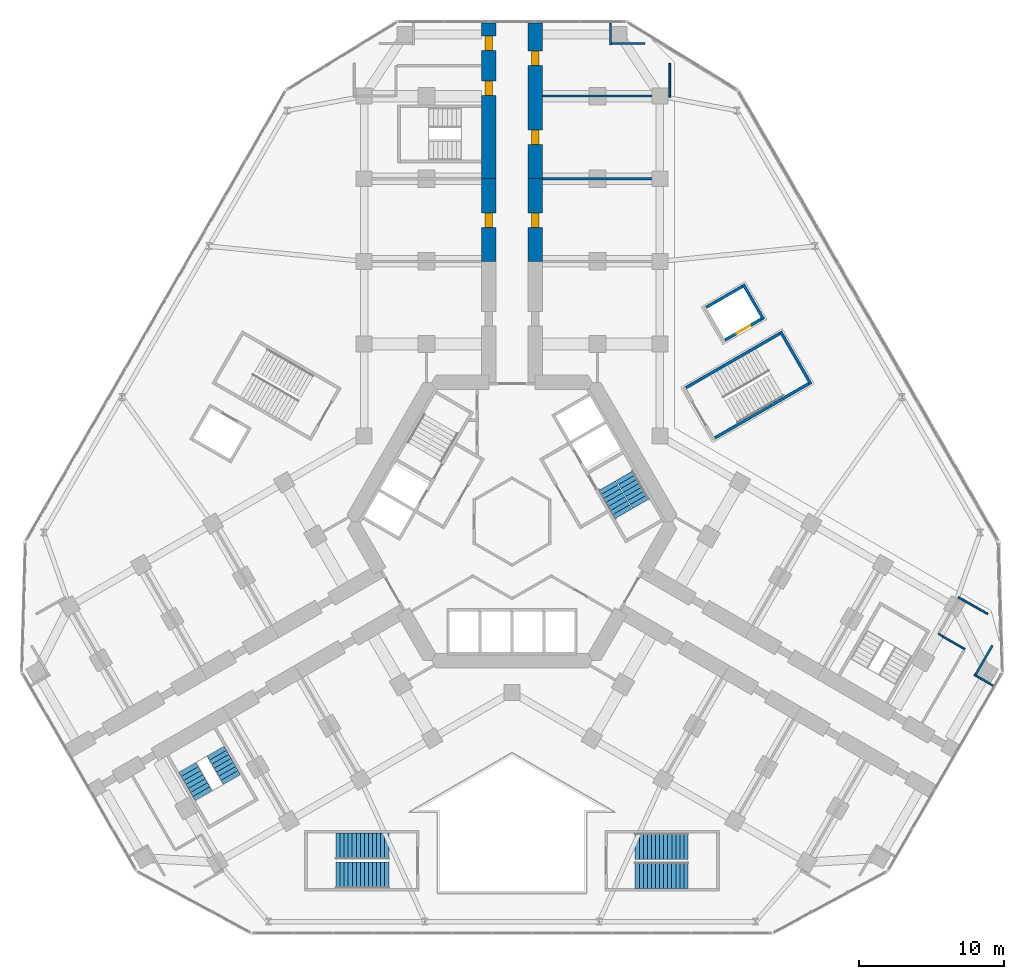
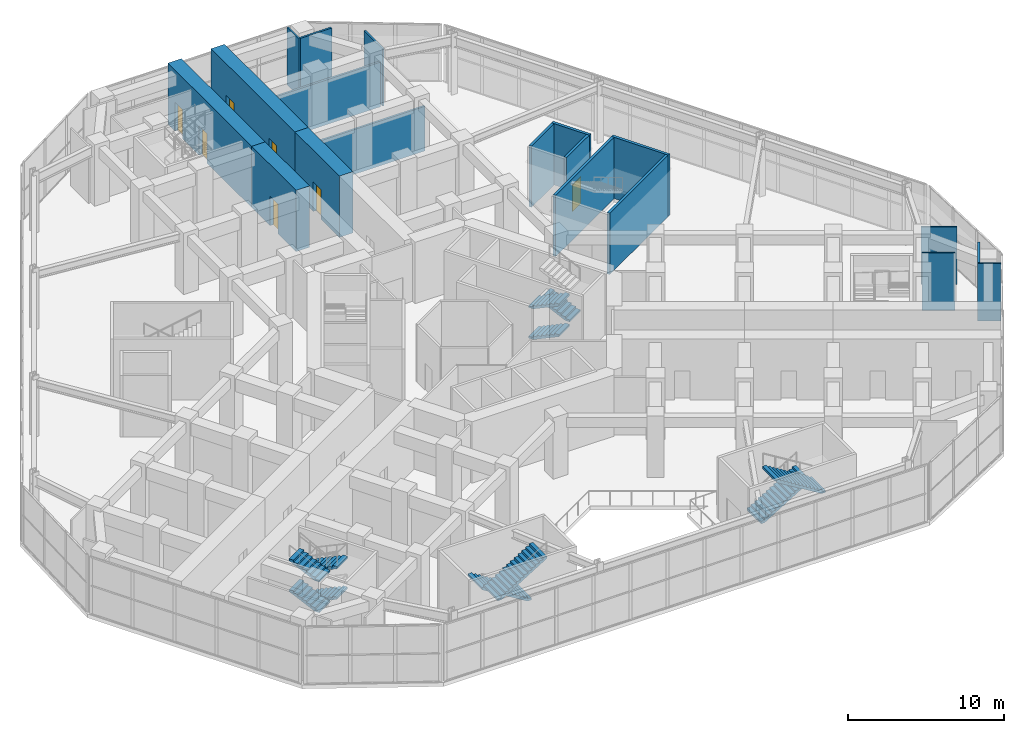
# One storey, part 18 of 22: 19 walls, 11 stair flights, 7 doors, 7 openings, 4 elements without a shape of their own.
"""IFC4 building model written with IfcOpenShell, lengths in metres."""

from ifc_helpers import new_model, si_unit, direction, frame, frame_2d, origin, place, context, subcontext, project, spatial, polyline, rectangle, outline, extrude, material, layer, layer_set, type_object, element, fill, aggregate, save


model = new_model("IFC4")

# Units and contexts
model_context = context("Model", 3, precision=1e-05, world=origin(), true_north=direction((0.0, 1.0)))
body_context = subcontext(model_context, "Body", "Model", "MODEL_VIEW")
ifc_project = project(units=[si_unit("LENGTHUNIT", "METRE"), si_unit("AREAUNIT", "SQUARE_METRE"), si_unit("VOLUMEUNIT", "CUBIC_METRE"), si_unit("PLANEANGLEUNIT", "RADIAN"), si_unit("MASSUNIT", "GRAM", prefix="KILO")], contexts=[model_context])

# Site, building, storey
site_placement = place(None, origin())
site = spatial("IfcSite", under=ifc_project, at=site_placement, CompositionType="ELEMENT")
building_placement = place(site_placement, origin())
building = spatial("IfcBuilding", under=site, at=building_placement, Name="Kosmar Iwan School Tower", CompositionType="ELEMENT")
storey_placement = place(building_placement, frame((0.0, 0.0, 10.800048828125)))
storey = spatial("IfcBuildingStorey", under=building, at=storey_placement, Name="L02", CompositionType="ELEMENT", Elevation=10.800048828125)

# Wall, opening, door
ifc_material_1 = material(Name="Concrete C50/60", Category="concrete")
ifc_layer_1 = layer(ifc_material_1, 1.0)
ifc_layer_set_1 = layer_set([ifc_layer_1], Name="Corridor buttress wall 1000")
wall_type_1 = type_object("IfcWallType", Name="Corridor buttress wall 1000", PredefinedType="SHEAR", material=ifc_layer_set_1)
wall_1_placement = place(storey_placement, frame((-1.60009765625, 17.949951171875, 0.0), z_axis=(0.0, 0.0, 1.0), x_axis=(0.0, 1.0, 0.0)))
wall_1 = element("IfcWall", 1, at=wall_1_placement, inside=storey, type_object=wall_type_1, Name="Corridor wall AL bay 2", PredefinedType="SHEAR", context=body_context, shape_type="SweptSolid", body=[
    extrude(rectangle(XDim=5.699951171875, YDim=1.0, at=frame_2d((2.85009765625, 0.0))), origin(), (0.0, 0.0, 1.0), 4.800048828125),
])
opening_1_placement = place(wall_1_placement, frame((2.35009765625, 0.0, 0.0)))
opening_1 = element("IfcOpeningElement", 2, at=opening_1_placement, cuts=wall_1, Name="Opening D4", PredefinedType="OPENING", context=body_context, shape_type="SweptSolid", body=[
    extrude(rectangle(XDim=1.0, YDim=2.300048828125, at=frame_2d((0.5, 1.14990234375))), frame((0.0, 0.511962890625, 0.0), z_axis=(0.0, -1.0, 0.0), x_axis=(1.0, 0.0, 0.0)), (0.0, 0.0, 1.0), 1.02392578125),
])
ifc_material_2 = material(Name="Timber fire door with vision panel", Category="wood")
door_type_1 = type_object("IfcDoorType", Name="Classroom door 1000x2300", OperationType="SINGLE_SWING_LEFT", PredefinedType="DOOR", material=ifc_material_2)
door_1_placement = place(opening_1_placement, origin())
door_1 = element("IfcDoor", 3, at=door_1_placement, inside=storey, type_object=door_type_1, Name="Primary classroom AL2 door L02-AL2", OperationType="SINGLE_SWING_LEFT", OverallHeight=2.300048828125, OverallWidth=1.0, PredefinedType="DOOR", context=body_context, shape_type="SweptSolid", body=[
    extrude(rectangle(XDim=1.0, YDim=2.300048828125, at=frame_2d((0.5, 1.14990234375))), frame((0.0, 0.25, 0.0), z_axis=(0.0, -1.0, 0.0), x_axis=(1.0, 0.0, 0.0)), (0.0, 0.0, 1.0), 0.5),
])
fill(opening_1, door_1)

# Wall, openings, doors
wall_2_placement = place(storey_placement, frame((-1.60009765625, 23.64990234375, 0.0), z_axis=(0.0, 0.0, 1.0), x_axis=(0.0, 1.0, 0.0)))
wall_2 = element("IfcWall", 4, at=wall_2_placement, inside=storey, type_object=wall_type_1, Name="Corridor wall AL bay 3", PredefinedType="SHEAR", context=body_context, shape_type="SweptSolid", body=[
    extrude(rectangle(XDim=10.7451171875, YDim=1.0, at=frame_2d((5.37255859375, 0.0))), origin(), (0.0, 0.0, 1.0), 4.800048828125),
])
opening_2_placement = place(wall_2_placement, frame((5.75, 0.0, 0.0)))
opening_2 = element("IfcOpeningElement", 5, at=opening_2_placement, cuts=wall_2, Name="Opening D4", PredefinedType="OPENING", context=body_context, shape_type="SweptSolid", body=[
    extrude(rectangle(XDim=1.0, YDim=2.300048828125, at=frame_2d((0.5, 1.14990234375))), frame((0.0, 0.511962890625, 0.0), z_axis=(0.0, -1.0, 0.0), x_axis=(1.0, 0.0, 0.0)), (0.0, 0.0, 1.0), 1.02392578125),
])
opening_3_placement = place(wall_2_placement, frame((8.860107421875, 0.0, 0.0)))
opening_3 = element("IfcOpeningElement", 6, at=opening_3_placement, cuts=wall_2, Name="Opening D4", PredefinedType="OPENING", context=body_context, shape_type="SweptSolid", body=[
    extrude(rectangle(XDim=1.0, YDim=2.300048828125, at=frame_2d((0.5, 1.14990234375))), frame((0.0, 0.511962890625, 0.0), z_axis=(0.0, -1.0, 0.0), x_axis=(1.0, 0.0, 0.0)), (0.0, 0.0, 1.0), 1.02392578125),
])
door_2_placement = place(opening_2_placement, origin())
door_2 = element("IfcDoor", 7, at=door_2_placement, inside=storey, type_object=door_type_1, Name="Primary classroom AL3 door L02-AL3", OperationType="SINGLE_SWING_LEFT", OverallHeight=2.300048828125, OverallWidth=1.0, PredefinedType="DOOR", context=body_context, shape_type="SweptSolid", body=[
    extrude(rectangle(XDim=1.0, YDim=2.300048828125, at=frame_2d((0.5, 1.14990234375))), frame((0.0, 0.25, 0.0), z_axis=(0.0, -1.0, 0.0), x_axis=(1.0, 0.0, 0.0)), (0.0, 0.0, 1.0), 0.5),
])
fill(opening_2, door_2)
door_3_placement = place(opening_3_placement, origin())
door_3 = element("IfcDoor", 8, at=door_3_placement, inside=storey, type_object=door_type_1, Name="Toilets door L02-AL4", OperationType="SINGLE_SWING_RIGHT", OverallHeight=2.300048828125, OverallWidth=1.0, PredefinedType="DOOR", context=body_context, shape_type="SweptSolid", body=[
    extrude(rectangle(XDim=1.0, YDim=2.300048828125, at=frame_2d((0.5, 1.14990234375))), frame((0.0, 0.25, 0.0), z_axis=(0.0, -1.0, 0.0), x_axis=(1.0, 0.0, 0.0)), (0.0, 0.0, 1.0), 0.5),
])
fill(opening_3, door_3)

# Wall, opening, door
wall_3_placement = place(storey_placement, frame((1.60009765625, 17.949951171875, 0.0), z_axis=(0.0, 0.0, 1.0), x_axis=(0.0, 1.0, 0.0)))
wall_3 = element("IfcWall", 9, at=wall_3_placement, inside=storey, type_object=wall_type_1, Name="Corridor wall AR bay 2", PredefinedType="SHEAR", context=body_context, shape_type="SweptSolid", body=[
    extrude(rectangle(XDim=5.699951171875, YDim=1.0, at=frame_2d((2.85009765625, 0.0))), origin(), (0.0, 0.0, 1.0), 4.800048828125),
])
opening_4_placement = place(wall_3_placement, frame((2.35009765625, 0.0, 0.0)))
opening_4 = element("IfcOpeningElement", 10, at=opening_4_placement, cuts=wall_3, Name="Opening D4", PredefinedType="OPENING", context=body_context, shape_type="SweptSolid", body=[
    extrude(rectangle(XDim=1.0, YDim=2.300048828125, at=frame_2d((0.5, 1.14990234375))), frame((0.0, 0.511962890625, 0.0), z_axis=(0.0, -1.0, 0.0), x_axis=(1.0, 0.0, 0.0)), (0.0, 0.0, 1.0), 1.02392578125),
])
door_4_placement = place(opening_4_placement, origin())
door_4 = element("IfcDoor", 11, at=door_4_placement, inside=storey, type_object=door_type_1, Name="Primary classroom AR2 door L02-AR2", OperationType="SINGLE_SWING_RIGHT", OverallHeight=2.300048828125, OverallWidth=1.0, PredefinedType="DOOR", context=body_context, shape_type="SweptSolid", body=[
    extrude(rectangle(XDim=1.0, YDim=2.300048828125, at=frame_2d((0.5, 1.14990234375))), frame((0.0, 0.25, 0.0), z_axis=(0.0, -1.0, 0.0), x_axis=(1.0, 0.0, 0.0)), (0.0, 0.0, 1.0), 0.5),
])
fill(opening_4, door_4)

# Wall, openings, doors
wall_4_placement = place(storey_placement, frame((1.60009765625, 23.64990234375, 0.0), z_axis=(0.0, 0.0, 1.0), x_axis=(0.0, 1.0, 0.0)))
wall_4 = element("IfcWall", 12, at=wall_4_placement, inside=storey, type_object=wall_type_1, Name="Corridor wall AR bay 3", PredefinedType="SHEAR", context=body_context, shape_type="SweptSolid", body=[
    extrude(rectangle(XDim=10.7451171875, YDim=1.0, at=frame_2d((5.37255859375, 0.0))), origin(), (0.0, 0.0, 1.0), 4.800048828125),
])
opening_5_placement = place(wall_4_placement, frame((2.35009765625, 0.0, 0.0)))
opening_5 = element("IfcOpeningElement", 13, at=opening_5_placement, cuts=wall_4, Name="Opening D4", PredefinedType="OPENING", context=body_context, shape_type="SweptSolid", body=[
    extrude(rectangle(XDim=1.0, YDim=2.300048828125, at=frame_2d((0.5, 1.14990234375))), frame((0.0, 0.511962890625, 0.0), z_axis=(0.0, -1.0, 0.0), x_axis=(1.0, 0.0, 0.0)), (0.0, 0.0, 1.0), 1.02392578125),
])
opening_6_placement = place(wall_4_placement, frame((7.824951171875, 0.0, 0.0)))
opening_6 = element("IfcOpeningElement", 14, at=opening_6_placement, cuts=wall_4, Name="Opening D4", PredefinedType="OPENING", context=body_context, shape_type="SweptSolid", body=[
    extrude(rectangle(XDim=1.0, YDim=2.300048828125, at=frame_2d((0.5, 1.14990234375))), frame((0.0, 0.511962890625, 0.0), z_axis=(0.0, -1.0, 0.0), x_axis=(1.0, 0.0, 0.0)), (0.0, 0.0, 1.0), 1.02392578125),
])
door_5_placement = place(opening_5_placement, origin())
door_5 = element("IfcDoor", 15, at=door_5_placement, inside=storey, type_object=door_type_1, Name="Primary classroom AR3 door L02-AR3", OperationType="SINGLE_SWING_LEFT", OverallHeight=2.300048828125, OverallWidth=1.0, PredefinedType="DOOR", context=body_context, shape_type="SweptSolid", body=[
    extrude(rectangle(XDim=1.0, YDim=2.300048828125, at=frame_2d((0.5, 1.14990234375))), frame((0.0, 0.25, 0.0), z_axis=(0.0, -1.0, 0.0), x_axis=(1.0, 0.0, 0.0)), (0.0, 0.0, 1.0), 0.5),
])
fill(opening_5, door_5)
door_6_placement = place(opening_6_placement, origin())
door_6 = element("IfcDoor", 16, at=door_6_placement, inside=storey, type_object=door_type_1, Name="Toilets door L02-AR4", OperationType="SINGLE_SWING_RIGHT", OverallHeight=2.300048828125, OverallWidth=1.0, PredefinedType="DOOR", context=body_context, shape_type="SweptSolid", body=[
    extrude(rectangle(XDim=1.0, YDim=2.300048828125, at=frame_2d((0.5, 1.14990234375))), frame((0.0, 0.25, 0.0), z_axis=(0.0, -1.0, 0.0), x_axis=(1.0, 0.0, 0.0)), (0.0, 0.0, 1.0), 0.5),
])
fill(opening_6, door_6)

# Walls
ifc_material_3 = material(Name="Gypsum board on steel studs", Category="steel")
ifc_layer_2 = layer(ifc_material_3, 0.1201171875)
ifc_layer_set_2 = layer_set([ifc_layer_2], Name="Dwelling partition 120")
wall_type_2 = type_object("IfcWallType", Name="Dwelling partition 120", PredefinedType="PARTITIONING", material=ifc_layer_set_2)
wall_5_placement = place(storey_placement, frame((6.7900390625, 32.89990234375, 0.0), z_axis=(0.0, 0.0, 1.0), x_axis=(0.0, 1.0, 0.0)))
element("IfcWall", 17, at=wall_5_placement, inside=storey, type_object=wall_type_2, Name="Partition L02-AR-DL", PredefinedType="PARTITIONING", context=body_context, shape_type="SweptSolid", body=[
    extrude(rectangle(XDim=1.4951171875, YDim=0.1201171875, at=frame_2d((0.74755859375, 0.0))), origin(), (0.0, 0.0, 1.0), 4.5),
])
wall_6_placement = place(storey_placement, frame((10.8798828125, 29.27490234375, 0.0), z_axis=(0.0, 0.0, 1.0), x_axis=(0.0, 1.0, 0.0)))
element("IfcWall", 18, at=wall_6_placement, inside=storey, type_object=wall_type_2, Name="Partition L02-AR-TW", PredefinedType="PARTITIONING", context=body_context, shape_type="SweptSolid", body=[
    extrude(rectangle(XDim=2.3251953125, YDim=0.1201171875, at=frame_2d((1.16259765625, 0.0))), origin(), (0.0, 0.0, 1.0), 4.5),
])
wall_7_placement = place(storey_placement, frame((31.88720703125, -10.569580078125, 0.0), z_axis=(0.0, 0.0, 1.0), x_axis=(0.866003374288, -0.500038154266, 0.0)))
element("IfcWall", 19, at=wall_7_placement, inside=storey, type_object=wall_type_2, Name="Partition L02-CL-DL", PredefinedType="PARTITIONING", context=body_context, shape_type="SweptSolid", body=[
    extrude(rectangle(XDim=1.4951171875, YDim=0.1201171875, at=frame_2d((0.74755859375, 0.0))), origin(), (0.0, 0.0, 1.0), 4.5),
])
wall_8_placement = place(storey_placement, frame((30.79296875, -5.215087890625, 0.0), z_axis=(0.0, 0.0, 1.0), x_axis=(0.865998469481, -0.500046648681, 0.0)))
element("IfcWall", 20, at=wall_8_placement, inside=storey, type_object=wall_type_2, Name="Partition L02-CL-TW", PredefinedType="PARTITIONING", context=body_context, shape_type="SweptSolid", body=[
    extrude(rectangle(XDim=2.324951171875, YDim=0.1201171875, at=frame_2d((1.16259765625, 0.0))), origin(), (0.0, 0.0, 1.0), 4.5),
])
wall_9_placement = place(storey_placement, frame((29.417724609375, -7.746826171875, 0.0), z_axis=(0.0, 0.0, 1.0), x_axis=(0.866038466041, -0.499977374825, 0.0)))
element("IfcWall", 21, at=wall_9_placement, inside=storey, type_object=wall_type_2, Name="Partition L02-CL-X3L", PredefinedType="PARTITIONING", context=body_context, shape_type="SweptSolid", body=[
    extrude(rectangle(XDim=2.10009765625, YDim=0.1201171875, at=frame_2d((1.050048828125, 0.0))), origin(), (0.0, 0.0, 1.0), 4.5),
])
ifc_material_4 = material(Name="Concrete C50/60", Category="concrete")
ifc_layer_3 = layer(ifc_material_4, 0.199951171875)
ifc_layer_set_3 = layer_set([ifc_layer_3], Name="Lift shaft wall 200")
wall_type_3 = type_object("IfcWallType", Name="Lift shaft wall 200", PredefinedType="SHEAR", material=ifc_layer_set_3)
wall_10_placement = place(storey_placement, frame((17.3525390625, 13.944580078125, 0.0), z_axis=(0.0, 0.0, 1.0), x_axis=(-0.49998411664, 0.866034573852, 0.0)))
element("IfcWall", 22, at=wall_10_placement, inside=storey, type_object=wall_type_3, Name="School lift SL1 shaft wall", PredefinedType="SHEAR", context=body_context, shape_type="SweptSolid", body=[
    extrude(rectangle(XDim=2.7998046875, YDim=0.199951171875, at=frame_2d((1.39990234375, 0.0))), origin(), (0.0, 0.0, 1.0), 4.800048828125),
])
wall_11_placement = place(storey_placement, frame((13.404541015625, 14.78271484375, 0.0), z_axis=(0.0, 0.0, 1.0), x_axis=(0.866032775405, 0.499987231761, 0.0)))
element("IfcWall", 23, at=wall_11_placement, inside=storey, type_object=wall_type_3, Name="School lift SL1 shaft wall", PredefinedType="SHEAR", context=body_context, shape_type="SweptSolid", body=[
    extrude(rectangle(XDim=2.89990234375, YDim=0.199951171875, at=frame_2d((1.449951171875, 0.0))), origin(), (0.0, 0.0, 1.0), 4.800048828125),
])

# Wall, opening, door
wall_12_placement = place(storey_placement, frame((14.70458984375, 12.531005859375, 0.0), z_axis=(0.0, 0.0, 1.0), x_axis=(0.865996321171, 0.50005036918, 0.0)))
wall_12 = element("IfcWall", 24, at=wall_12_placement, inside=storey, type_object=wall_type_3, Name="School lift SL1 shaft wall", PredefinedType="SHEAR", context=body_context, shape_type="SweptSolid", body=[
    extrude(rectangle(XDim=2.900146484375, YDim=0.199951171875, at=frame_2d((1.4501953125, 0.0))), origin(), (0.0, 0.0, 1.0), 4.800048828125),
])
opening_7_placement = place(wall_12_placement, frame((0.89990234375, 0.0, 0.0)))
opening_7 = element("IfcOpeningElement", 25, at=opening_7_placement, cuts=wall_12, Name="Opening LD1", PredefinedType="OPENING", context=body_context, shape_type="SweptSolid", body=[
    extrude(rectangle(XDim=1.10009765625, YDim=2.10009765625, at=frame_2d((0.550048828125, 1.050048828125))), frame((0.0, 0.112060546875, 0.0), z_axis=(0.0, -1.0, 0.0), x_axis=(1.0, 0.0, 0.0)), (0.0, 0.0, 1.0), 0.223876953125),
])
ifc_material_5 = material(Name="Stainless steel sliding lift door", Category="steel")
door_type_2 = type_object("IfcDoorType", Name="Lift landing door 1100x2100", OperationType="SLIDING_TO_LEFT", PredefinedType="DOOR", material=ifc_material_5)
door_7_placement = place(opening_7_placement, origin())
door_7 = element("IfcDoor", 26, at=door_7_placement, inside=storey, type_object=door_type_2, Name="Lift SL1 landing door L02", OperationType="SLIDING_TO_LEFT", OverallHeight=2.10009765625, OverallWidth=1.10009765625, PredefinedType="DOOR", context=body_context, shape_type="SweptSolid", body=[
    extrude(rectangle(XDim=1.10009765625, YDim=2.10009765625, at=frame_2d((0.550048828125, 1.050048828125))), frame((0.0, 0.02490234375, 0.0), z_axis=(0.0, -1.0, 0.0), x_axis=(1.0, 0.0, 0.0)), (0.0, 0.0, 1.0), 0.050048828125),
])
fill(opening_7, door_7)

# Walls
ifc_material_6 = material(Name="Gypsum board on steel studs", Category="steel")
ifc_layer_4 = layer(ifc_material_6, 0.14990234375)
ifc_layer_set_4 = layer_set([ifc_layer_4], Name="School partition 150")
wall_type_4 = type_object("IfcWallType", Name="School partition 150", PredefinedType="PARTITIONING", material=ifc_layer_set_4)
wall_13_placement = place(storey_placement, frame((6.72998046875, 32.97509765625, 0.0), z_axis=(0.0, 0.0, 1.0), x_axis=(1.0, 0.0, 0.0)))
element("IfcWall", 27, at=wall_13_placement, inside=storey, type_object=wall_type_4, Name="Partition L02-AR-DC", PredefinedType="PARTITIONING", context=body_context, shape_type="SweptSolid", body=[
    extrude(rectangle(XDim=2.445068359375, YDim=0.14990234375, at=frame_2d((1.22265625, 0.0))), origin(), (0.0, 0.0, 1.0), 4.5),
])
for number, where, z_axis, x_axis, name in (
    (28, (2.10009765625, 23.64990234375, 0.0), (0.0, 0.0, 1.0), (1.0, 0.0, 0.0), "Partition L02-AR-X2"),
    (29, (2.10009765625, 29.35009765625, 0.0), (0.0, 0.0, 1.0), (1.0, 0.0, 0.0), "Partition L02-AR-X3"),
):
    element("IfcWall", number, at=place(storey_placement, frame(where, z_axis=z_axis, x_axis=x_axis)), inside=storey, type_object=wall_type_4, Name=name, PredefinedType="PARTITIONING", context=body_context, shape_type="SweptSolid", body=[
        extrude(rectangle(XDim=8.599853515625, YDim=0.14990234375, at=frame_2d((4.2998046875, 0.0))), origin(), (0.0, 0.0, 1.0), 3.5),
    ])
wall_14_placement = place(storey_placement, frame((31.922119140625, -10.6591796875, 0.0), z_axis=(0.0, 0.0, 1.0), x_axis=(0.500048010679, 0.865997683031, 0.0)))
element("IfcWall", 30, at=wall_14_placement, inside=storey, type_object=wall_type_4, Name="Partition L02-CL-DC", PredefinedType="PARTITIONING", context=body_context, shape_type="SweptSolid", body=[
    extrude(rectangle(XDim=2.445068359375, YDim=0.14990234375, at=frame_2d((1.22265625, 0.0))), origin(), (0.0, 0.0, 1.0), 4.5),
])
ifc_material_7 = material(Name="Concrete C50/60", Category="concrete")
ifc_layer_5 = layer(ifc_material_7, 0.199951171875)
ifc_layer_set_5 = layer_set([ifc_layer_5], Name="Stair enclosure wall 200")
wall_type_5 = type_object("IfcWallType", Name="Stair enclosure wall 200", PredefinedType="SHEAR", material=ifc_layer_set_5)
for number, where, z_axis, x_axis, name in (
    (31, (13.990478515625, 5.767822265625, 0.0), (0.0, 0.0, 1.0), (0.866008863278, 0.500028647903, 0.0), "School stair SS3 wall"),
    (32, (11.990478515625, 9.23193359375, 0.0), (0.0, 0.0, 1.0), (0.866008863278, 0.500028647903, 0.0), "School stair SS3 wall"),
):
    element("IfcWall", number, at=place(storey_placement, frame(where, z_axis=z_axis, x_axis=x_axis)), inside=storey, type_object=wall_type_5, Name=name, PredefinedType="SHEAR", context=body_context, shape_type="SweptSolid", body=[
        extrude(rectangle(XDim=7.5, YDim=0.199951171875, at=frame_2d((3.75, 0.0))), origin(), (0.0, 0.0, 1.0), 4.800048828125),
    ])
wall_15_placement = place(storey_placement, frame((20.6220703125, 9.4814453125, 0.0), z_axis=(0.0, 0.0, 1.0), x_axis=(-0.49998411664, 0.866034573852, 0.0)))
element("IfcWall", 33, at=wall_15_placement, inside=storey, type_object=wall_type_5, Name="School stair SS3 wall", PredefinedType="SHEAR", context=body_context, shape_type="SweptSolid", body=[
    extrude(rectangle(XDim=4.199951171875, YDim=0.199951171875, at=frame_2d((2.10009765625, 0.0))), origin(), (0.0, 0.0, 1.0), 4.800048828125),
])

# Stair, stair flights
ifc_material_8 = material(Name="Concrete C35/45", Category="concrete")
stair_type_1 = type_object("IfcStairType", Name="Escape stair 3600", PredefinedType="HALF_TURN_STAIR", material=ifc_material_8)
stair_1_placement = place(storey_placement, origin())
stair_1 = element("IfcStair", 34, at=stair_1_placement, inside=storey, type_object=stair_type_1, Name="Stair WS2 L02", PredefinedType="HALF_TURN_STAIR")
ifc_material_9 = material(Name="Concrete C35/45", Category="concrete")
stair_flight_type_1 = type_object("IfcStairFlightType", Name="Escape stair flight 1350", PredefinedType="STRAIGHT", material=ifc_material_9)
stair_flight_1_placement = place(storey_placement, frame((-20.44189453125, -15.843505859375, 0.0), z_axis=(0.0, 0.0, 1.0), x_axis=(0.5, -0.866025403784, 0.0)))
stair_flight_1 = element("IfcStairFlight", 35, at=stair_flight_1_placement, type_object=stair_flight_type_1, Name="WS2 flight 1", NumberOfRisers=8, NumberOfTreads=7, PredefinedType="STRAIGHT", RiserHeight=0.15, TreadLength=0.32, context=body_context, shape_type="SweptSolid", body=[
    extrude(outline(polyline([(0.0, 0.0), (0.0, 0.14990234375), (0.320068359375, 0.14990234375), (0.320068359375, 0.300048828125), (0.639892578125, 0.300048828125), (0.639892578125, 0.449951171875), (0.9599609375, 0.449951171875), (0.9599609375, 0.60009765625), (1.280029296875, 0.60009765625), (1.280029296875, 0.75), (1.60009765625, 0.75), (1.60009765625, 0.89990234375), (1.919921875, 0.89990234375), (1.919921875, 1.050048828125), (2.239990234375, 1.050048828125), (2.239990234375, 1.199951171875), (2.239990234375, 0.884521484375), (0.353271484375, 0.0), (0.0, 0.0)])), frame((0.0, 0.675048828125, 0.0), z_axis=(0.0, -1.0, 0.0), x_axis=(1.0, 0.0, 0.0)), (0.0, 0.0, 1.0), 1.35009765625),
])
stair_flight_2_placement = place(storey_placement, frame((-21.2705078125, -18.908447265625, 1.199951171875), z_axis=(0.0, 0.0, 1.0), x_axis=(-0.5, 0.866025403784, 0.0)))
stair_flight_2 = element("IfcStairFlight", 36, at=stair_flight_2_placement, type_object=stair_flight_type_1, Name="WS2 flight 2", NumberOfRisers=8, NumberOfTreads=7, PredefinedType="STRAIGHT", RiserHeight=0.15, TreadLength=0.32, context=body_context, shape_type="SweptSolid", body=[
    extrude(outline(polyline([(0.0, 0.0), (0.0, 0.14990234375), (0.320068359375, 0.14990234375), (0.320068359375, 0.300048828125), (0.639892578125, 0.300048828125), (0.639892578125, 0.449951171875), (0.9599609375, 0.449951171875), (0.9599609375, 0.60009765625), (1.280029296875, 0.60009765625), (1.280029296875, 0.75), (1.60009765625, 0.75), (1.60009765625, 0.89990234375), (1.919921875, 0.89990234375), (1.919921875, 1.050048828125), (2.239990234375, 1.050048828125), (2.239990234375, 1.199951171875), (2.239990234375, 0.884521484375), (0.353271484375, 0.0), (0.0, 0.0)])), frame((0.0, 0.675048828125, 0.0), z_axis=(0.0, -1.0, 0.0), x_axis=(1.0, 0.0, 0.0)), (0.0, 0.0, 1.0), 1.35009765625),
])
stair_flight_3_placement = place(storey_placement, frame((-20.44189453125, -15.843505859375, 2.39990234375), z_axis=(0.0, 0.0, 1.0), x_axis=(0.5, -0.866025403784, 0.0)))
stair_flight_3 = element("IfcStairFlight", 37, at=stair_flight_3_placement, type_object=stair_flight_type_1, Name="WS2 flight 3", NumberOfRisers=8, NumberOfTreads=7, PredefinedType="STRAIGHT", RiserHeight=0.15, TreadLength=0.32, context=body_context, shape_type="SweptSolid", body=[
    extrude(outline(polyline([(0.0, 0.0), (0.0, 0.14990234375), (0.320068359375, 0.14990234375), (0.320068359375, 0.300048828125), (0.639892578125, 0.300048828125), (0.639892578125, 0.449951171875), (0.9599609375, 0.449951171875), (0.9599609375, 0.60009765625), (1.280029296875, 0.60009765625), (1.280029296875, 0.75), (1.60009765625, 0.75), (1.60009765625, 0.89990234375), (1.919921875, 0.89990234375), (1.919921875, 1.050048828125), (2.239990234375, 1.050048828125), (2.239990234375, 1.199951171875), (2.239990234375, 0.884521484375), (0.353271484375, 0.0), (0.0, 0.0)])), frame((0.0, 0.675048828125, 0.0), z_axis=(0.0, -1.0, 0.0), x_axis=(1.0, 0.0, 0.0)), (0.0, 0.0, 1.0), 1.35009765625),
])
stair_flight_4_placement = place(storey_placement, frame((-21.2705078125, -18.908447265625, 3.599853515625), z_axis=(0.0, 0.0, 1.0), x_axis=(-0.5, 0.866025403784, 0.0)))
stair_flight_4 = element("IfcStairFlight", 38, at=stair_flight_4_placement, type_object=stair_flight_type_1, Name="WS2 flight 4", NumberOfRisers=8, NumberOfTreads=7, PredefinedType="STRAIGHT", RiserHeight=0.15, TreadLength=0.32, context=body_context, shape_type="SweptSolid", body=[
    extrude(outline(polyline([(0.0, 0.0), (0.0, 0.14990234375), (0.320068359375, 0.14990234375), (0.320068359375, 0.300048828125), (0.639892578125, 0.300048828125), (0.639892578125, 0.449951171875), (0.9599609375, 0.449951171875), (0.9599609375, 0.60009765625), (1.280029296875, 0.60009765625), (1.280029296875, 0.75), (1.60009765625, 0.75), (1.60009765625, 0.89990234375), (1.919921875, 0.89990234375), (1.919921875, 1.050048828125), (2.239990234375, 1.050048828125), (2.239990234375, 1.199951171875), (2.239990234375, 0.884521484375), (0.353271484375, 0.0), (0.0, 0.0)])), frame((0.0, 0.675048828125, 0.0), z_axis=(0.0, -1.0, 0.0), x_axis=(1.0, 0.0, 0.0)), (0.0, 0.0, 1.0), 1.35009765625),
])
aggregate(stair_1, [stair_flight_1, stair_flight_2, stair_flight_3, stair_flight_4])

ifc_material_10 = material(Name="Concrete C35/45", Category="concrete")
stair_type_2 = type_object("IfcStairType", Name="School stair 3800", PredefinedType="HALF_TURN_STAIR", material=ifc_material_10)
stair_2_placement = place(storey_placement, origin())
stair_2 = element("IfcStair", 39, at=stair_2_placement, inside=storey, type_object=stair_type_2, Name="School stair SS1 L02", PredefinedType="HALF_TURN_STAIR")
ifc_material_11 = material(Name="Concrete C35/45", Category="concrete")
stair_flight_type_2 = type_object("IfcStairFlightType", Name="School stair flight 1800", PredefinedType="STRAIGHT", material=ifc_material_11)
stair_flight_5_placement = place(storey_placement, frame((-8.5, -22.39990234375, 0.0), z_axis=(0.0, 0.0, 1.0), x_axis=(-1.0, 0.0, 0.0)))
stair_flight_5 = element("IfcStairFlight", 40, at=stair_flight_5_placement, type_object=stair_flight_type_2, Name="SS1 flight 1", NumberOfRisers=14, NumberOfTreads=13, PredefinedType="STRAIGHT", RiserHeight=0.171428571, TreadLength=0.28, context=body_context, shape_type="SweptSolid", body=[
    extrude(outline(polyline([(0.0, 0.0), (0.0, 0.17138671875), (0.280029296875, 0.17138671875), (0.280029296875, 0.3427734375), (0.56005859375, 0.3427734375), (0.56005859375, 0.514404296875), (0.840087890625, 0.514404296875), (0.840087890625, 0.685791015625), (1.1201171875, 0.685791015625), (1.1201171875, 0.857177734375), (1.39990234375, 0.857177734375), (1.39990234375, 1.028564453125), (1.679931640625, 1.028564453125), (1.679931640625, 1.199951171875), (1.9599609375, 1.199951171875), (1.9599609375, 1.371337890625), (2.239990234375, 1.371337890625), (2.239990234375, 1.54296875), (2.52001953125, 1.54296875), (2.52001953125, 1.71435546875), (2.800048828125, 1.71435546875), (2.800048828125, 1.8857421875), (3.080078125, 1.8857421875), (3.080078125, 2.05712890625), (3.360107421875, 2.05712890625), (3.360107421875, 2.228515625), (3.639892578125, 2.228515625), (3.639892578125, 2.39990234375), (3.639892578125, 2.052734375), (0.287109375, 0.0), (0.0, 0.0)])), frame((0.0, 0.89990234375, 0.0), z_axis=(0.0, -1.0, 0.0), x_axis=(1.0, 0.0, 0.0)), (0.0, 0.0, 1.0), 1.800048828125),
])
stair_flight_6_placement = place(storey_placement, frame((-12.139892578125, -24.39990234375, 2.39990234375), z_axis=(0.0, 0.0, 1.0), x_axis=(1.0, 0.0, 0.0)))
stair_flight_6 = element("IfcStairFlight", 41, at=stair_flight_6_placement, type_object=stair_flight_type_2, Name="SS1 flight 2", NumberOfRisers=14, NumberOfTreads=13, PredefinedType="STRAIGHT", RiserHeight=0.171428571, TreadLength=0.28, context=body_context, shape_type="SweptSolid", body=[
    extrude(outline(polyline([(0.0, 0.0), (0.0, 0.17138671875), (0.280029296875, 0.17138671875), (0.280029296875, 0.3427734375), (0.56005859375, 0.3427734375), (0.56005859375, 0.514404296875), (0.840087890625, 0.514404296875), (0.840087890625, 0.685791015625), (1.1201171875, 0.685791015625), (1.1201171875, 0.857177734375), (1.39990234375, 0.857177734375), (1.39990234375, 1.028564453125), (1.679931640625, 1.028564453125), (1.679931640625, 1.199951171875), (1.9599609375, 1.199951171875), (1.9599609375, 1.371337890625), (2.239990234375, 1.371337890625), (2.239990234375, 1.54296875), (2.52001953125, 1.54296875), (2.52001953125, 1.71435546875), (2.800048828125, 1.71435546875), (2.800048828125, 1.8857421875), (3.080078125, 1.8857421875), (3.080078125, 2.05712890625), (3.360107421875, 2.05712890625), (3.360107421875, 2.228515625), (3.639892578125, 2.228515625), (3.639892578125, 2.39990234375), (3.639892578125, 2.052734375), (0.287109375, 0.0), (0.0, 0.0)])), frame((0.0, 0.89990234375, 0.0), z_axis=(0.0, -1.0, 0.0), x_axis=(1.0, 0.0, 0.0)), (0.0, 0.0, 1.0), 1.800048828125),
])
aggregate(stair_2, [stair_flight_5, stair_flight_6])

stair_3_placement = place(storey_placement, origin())
stair_3 = element("IfcStair", 42, at=stair_3_placement, inside=storey, type_object=stair_type_2, Name="School stair SS2 L02", PredefinedType="HALF_TURN_STAIR")
stair_flight_7_placement = place(storey_placement, frame((8.5, -22.39990234375, 0.0), z_axis=(0.0, 0.0, 1.0), x_axis=(1.0, 0.0, 0.0)))
stair_flight_7 = element("IfcStairFlight", 43, at=stair_flight_7_placement, type_object=stair_flight_type_2, Name="SS2 flight 1", NumberOfRisers=14, NumberOfTreads=13, PredefinedType="STRAIGHT", RiserHeight=0.171428571, TreadLength=0.28, context=body_context, shape_type="SweptSolid", body=[
    extrude(outline(polyline([(0.0, 0.0), (0.0, 0.17138671875), (0.280029296875, 0.17138671875), (0.280029296875, 0.3427734375), (0.56005859375, 0.3427734375), (0.56005859375, 0.514404296875), (0.840087890625, 0.514404296875), (0.840087890625, 0.685791015625), (1.1201171875, 0.685791015625), (1.1201171875, 0.857177734375), (1.39990234375, 0.857177734375), (1.39990234375, 1.028564453125), (1.679931640625, 1.028564453125), (1.679931640625, 1.199951171875), (1.9599609375, 1.199951171875), (1.9599609375, 1.371337890625), (2.239990234375, 1.371337890625), (2.239990234375, 1.54296875), (2.52001953125, 1.54296875), (2.52001953125, 1.71435546875), (2.800048828125, 1.71435546875), (2.800048828125, 1.8857421875), (3.080078125, 1.8857421875), (3.080078125, 2.05712890625), (3.360107421875, 2.05712890625), (3.360107421875, 2.228515625), (3.639892578125, 2.228515625), (3.639892578125, 2.39990234375), (3.639892578125, 2.052734375), (0.287109375, 0.0), (0.0, 0.0)])), frame((0.0, 0.89990234375, 0.0), z_axis=(0.0, -1.0, 0.0), x_axis=(1.0, 0.0, 0.0)), (0.0, 0.0, 1.0), 1.800048828125),
])
stair_flight_8_placement = place(storey_placement, frame((12.139892578125, -24.39990234375, 2.39990234375), z_axis=(0.0, 0.0, 1.0), x_axis=(-1.0, 0.0, 0.0)))
stair_flight_8 = element("IfcStairFlight", 44, at=stair_flight_8_placement, type_object=stair_flight_type_2, Name="SS2 flight 2", NumberOfRisers=14, NumberOfTreads=13, PredefinedType="STRAIGHT", RiserHeight=0.171428571, TreadLength=0.28, context=body_context, shape_type="SweptSolid", body=[
    extrude(outline(polyline([(0.0, 0.0), (0.0, 0.17138671875), (0.280029296875, 0.17138671875), (0.280029296875, 0.3427734375), (0.56005859375, 0.3427734375), (0.56005859375, 0.514404296875), (0.840087890625, 0.514404296875), (0.840087890625, 0.685791015625), (1.1201171875, 0.685791015625), (1.1201171875, 0.857177734375), (1.39990234375, 0.857177734375), (1.39990234375, 1.028564453125), (1.679931640625, 1.028564453125), (1.679931640625, 1.199951171875), (1.9599609375, 1.199951171875), (1.9599609375, 1.371337890625), (2.239990234375, 1.371337890625), (2.239990234375, 1.54296875), (2.52001953125, 1.54296875), (2.52001953125, 1.71435546875), (2.800048828125, 1.71435546875), (2.800048828125, 1.8857421875), (3.080078125, 1.8857421875), (3.080078125, 2.05712890625), (3.360107421875, 2.05712890625), (3.360107421875, 2.228515625), (3.639892578125, 2.228515625), (3.639892578125, 2.39990234375), (3.639892578125, 2.052734375), (0.287109375, 0.0), (0.0, 0.0)])), frame((0.0, 0.89990234375, 0.0), z_axis=(0.0, -1.0, 0.0), x_axis=(1.0, 0.0, 0.0)), (0.0, 0.0, 1.0), 1.800048828125),
])
aggregate(stair_3, [stair_flight_7, stair_flight_8])

ifc_material_12 = material(Name="Concrete C35/45", Category="concrete")
stair_type_3 = type_object("IfcStairType", Name="Core stair 2750", PredefinedType="HALF_TURN_STAIR", material=ifc_material_12)
stair_4_placement = place(storey_placement, origin())
stair_4 = element("IfcStair", 45, at=stair_4_placement, inside=storey, type_object=stair_type_3, Name="Stair ST1 L02", PredefinedType="HALF_TURN_STAIR")
ifc_material_13 = material(Name="Concrete C35/45", Category="concrete")
stair_flight_type_3 = type_object("IfcStairFlightType", Name="Stair flight 1350", PredefinedType="STRAIGHT", material=ifc_material_13)
stair_flight_9_placement = place(storey_placement, frame((6.567138671875, 2.475341796875, 0.0), z_axis=(0.0, 0.0, 1.0), x_axis=(0.5, -0.866025403784, 0.0)))
stair_flight_9 = element("IfcStairFlight", 46, at=stair_flight_9_placement, type_object=stair_flight_type_3, Name="ST1 flight 1", NumberOfRisers=8, NumberOfTreads=7, PredefinedType="STRAIGHT", RiserHeight=0.15, TreadLength=0.32, context=body_context, shape_type="SweptSolid", body=[
    extrude(outline(polyline([(0.0, 0.0), (0.0, 0.14990234375), (0.320068359375, 0.14990234375), (0.320068359375, 0.300048828125), (0.639892578125, 0.300048828125), (0.639892578125, 0.449951171875), (0.9599609375, 0.449951171875), (0.9599609375, 0.60009765625), (1.280029296875, 0.60009765625), (1.280029296875, 0.75), (1.60009765625, 0.75), (1.60009765625, 0.89990234375), (1.919921875, 0.89990234375), (1.919921875, 1.050048828125), (2.239990234375, 1.050048828125), (2.239990234375, 1.199951171875), (2.239990234375, 0.884521484375), (0.353271484375, 0.0), (0.0, 0.0)])), frame((0.0, 0.675048828125, 0.0), z_axis=(0.0, -1.0, 0.0), x_axis=(1.0, 0.0, 0.0)), (0.0, 0.0, 1.0), 1.35009765625),
])
stair_flight_10_placement = place(storey_placement, frame((8.899658203125, 1.2353515625, 1.199951171875), z_axis=(0.0, 0.0, 1.0), x_axis=(-0.5, 0.866025403784, 0.0)))
stair_flight_10 = element("IfcStairFlight", 47, at=stair_flight_10_placement, type_object=stair_flight_type_3, Name="ST1 flight 2", NumberOfRisers=8, NumberOfTreads=7, PredefinedType="STRAIGHT", RiserHeight=0.15, TreadLength=0.32, context=body_context, shape_type="SweptSolid", body=[
    extrude(outline(polyline([(0.0, 0.0), (0.0, 0.14990234375), (0.320068359375, 0.14990234375), (0.320068359375, 0.300048828125), (0.639892578125, 0.300048828125), (0.639892578125, 0.449951171875), (0.9599609375, 0.449951171875), (0.9599609375, 0.60009765625), (1.280029296875, 0.60009765625), (1.280029296875, 0.75), (1.60009765625, 0.75), (1.60009765625, 0.89990234375), (1.919921875, 0.89990234375), (1.919921875, 1.050048828125), (2.239990234375, 1.050048828125), (2.239990234375, 1.199951171875), (2.239990234375, 0.884521484375), (0.353271484375, 0.0), (0.0, 0.0)])), frame((0.0, 0.675048828125, 0.0), z_axis=(0.0, -1.0, 0.0), x_axis=(1.0, 0.0, 0.0)), (0.0, 0.0, 1.0), 1.35009765625),
])
stair_flight_11_placement = place(storey_placement, frame((6.567138671875, 2.475341796875, 2.39990234375), z_axis=(0.0, 0.0, 1.0), x_axis=(0.5, -0.866025403784, 0.0)))
stair_flight_11 = element("IfcStairFlight", 48, at=stair_flight_11_placement, type_object=stair_flight_type_3, Name="ST1 flight 3", NumberOfRisers=8, NumberOfTreads=7, PredefinedType="STRAIGHT", RiserHeight=0.15, TreadLength=0.32, context=body_context, shape_type="SweptSolid", body=[
    extrude(outline(polyline([(0.0, 0.0), (0.0, 0.14990234375), (0.320068359375, 0.14990234375), (0.320068359375, 0.300048828125), (0.639892578125, 0.300048828125), (0.639892578125, 0.449951171875), (0.9599609375, 0.449951171875), (0.9599609375, 0.60009765625), (1.280029296875, 0.60009765625), (1.280029296875, 0.75), (1.60009765625, 0.75), (1.60009765625, 0.89990234375), (1.919921875, 0.89990234375), (1.919921875, 1.050048828125), (2.239990234375, 1.050048828125), (2.239990234375, 1.199951171875), (2.239990234375, 0.884521484375), (0.353271484375, 0.0), (0.0, 0.0)])), frame((0.0, 0.675048828125, 0.0), z_axis=(0.0, -1.0, 0.0), x_axis=(1.0, 0.0, 0.0)), (0.0, 0.0, 1.0), 1.35009765625),
])
aggregate(stair_4, [stair_flight_9, stair_flight_10, stair_flight_11])

save(model, "model.ifc")
